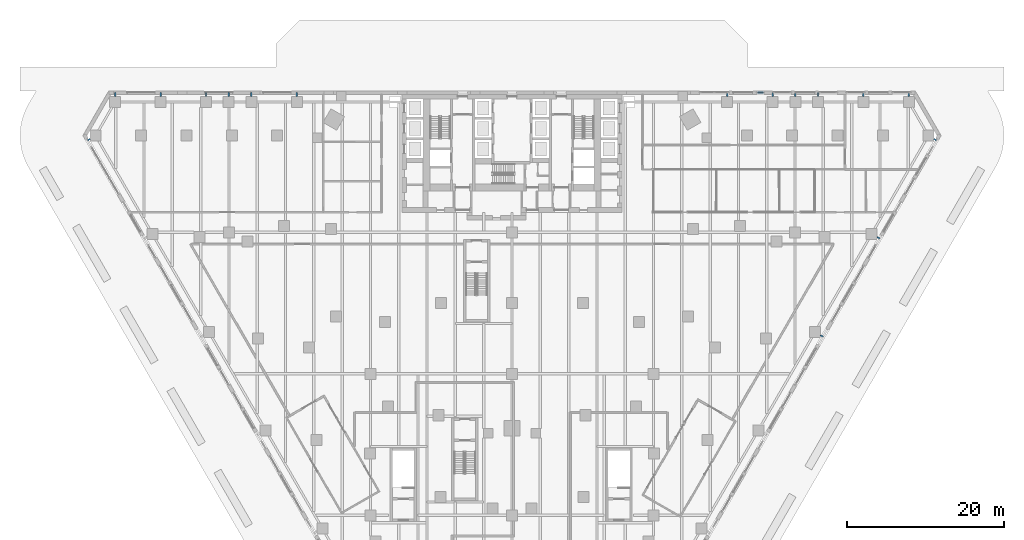
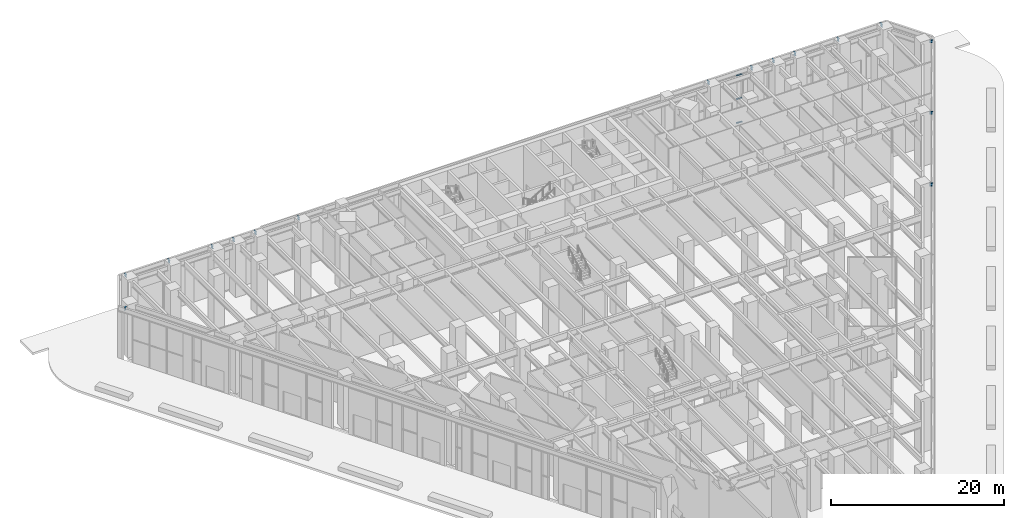
# One storey, part 18 of 37: 16 beams, 3 members, 1 element without a shape of its own.
"""IFC4 building model written with IfcOpenShell, lengths in metres."""

from ifc_helpers import new_model, si_unit, direction, frame, origin, origin_2d, place, context, subcontext, project, spatial, rectangle, i_section, extrude, material, material_profile, profile_set, type_object, element, aggregate, save


model = new_model("IFC4")

# Units and contexts
model_context = context("Model", 3, precision=1e-05, world=origin(), true_north=direction((0.0, 1.0)))
body_context = subcontext(model_context, "Body", "Model", "MODEL_VIEW")
ifc_project = project(units=[si_unit("LENGTHUNIT", "METRE"), si_unit("AREAUNIT", "SQUARE_METRE"), si_unit("VOLUMEUNIT", "CUBIC_METRE"), si_unit("PLANEANGLEUNIT", "RADIAN"), si_unit("MASSUNIT", "GRAM", prefix="KILO")], contexts=[model_context])

# Site, building, storey
site_placement = place(None, origin())
site = spatial("IfcSite", under=ifc_project, at=site_placement, CompositionType="ELEMENT")
building_placement = place(site_placement, origin())
building = spatial("IfcBuilding", under=site, at=building_placement, Name="Aloe Facet Convention Tower", CompositionType="ELEMENT")
storey_placement = place(building_placement, origin())
storey = spatial("IfcBuildingStorey", under=building, at=storey_placement, Name="L00", CompositionType="ELEMENT", Elevation=0.0)

# Beams
ifc_material_1 = material(Name="Steel S355", Category="steel")
ifc_material_profile_1 = material_profile(ifc_material_1, i_section(OverallWidth=0.177734375, OverallDepth=0.402587890625, WebThickness=0.0078125, FlangeThickness=0.010986328125, FilletRadius=0.01025390625, at=origin_2d()), Name="UB 406x178x54")
ifc_profile_set_1 = profile_set([ifc_material_profile_1], Name="Steel S355")
beam_type = type_object("IfcBeamType", Name="EV-BR-UB406x178x54", PredefinedType="BEAM", material=ifc_profile_set_1)
for number, where, z_axis, x_axis, name in (
    (1, (107.364990234375, 134.300048828125, 6.998779296875), (0.0, 1.0, 0.0), (-1.0, 0.0, 0.0), "EB-L01-N-BR01"),
    (2, (113.138916015625, 134.300048828125, 6.998779296875), (0.0, 1.0, 0.0), (-1.0, 0.0, 0.0), "EB-L01-N-BR02"),
    (3, (116.0419921875, 134.300048828125, 6.998779296875), (0.0, 1.0, 0.0), (-1.0, 0.0, 0.0), "EB-L01-N-BR03"),
    (4, (118.912109375, 134.300048828125, 6.998779296875), (0.0, 1.0, 0.0), (-1.0, 0.0, 0.0), "EB-L01-N-BR04"),
    (5, (124.68603515625, 134.300048828125, 6.998779296875), (0.0, 1.0, 0.0), (-1.0, 0.0, 0.0), "EB-L01-N-BR05"),
    (6, (130.458984375, 134.300048828125, 6.998779296875), (0.0, 1.0, 0.0), (-1.0, 0.0, 0.0), "EB-L01-N-BR06"),
    (7, (29.541015625, 134.300048828125, 6.998779296875), (0.0, 1.0, 0.0), (-1.0, 0.0, 0.0), "EB-L01-N-BR07"),
    (8, (35.31396484375, 134.300048828125, 6.998779296875), (0.0, 1.0, 0.0), (-1.0, 0.0, 0.0), "EB-L01-N-BR08"),
    (9, (41.087890625, 134.300048828125, 6.998779296875), (0.0, 1.0, 0.0), (-1.0, 0.0, 0.0), "EB-L01-N-BR09"),
    (10, (43.9580078125, 134.300048828125, 6.998779296875), (0.0, 1.0, 0.0), (-1.0, 0.0, 0.0), "EB-L01-N-BR10"),
    (11, (46.861083984375, 134.300048828125, 6.998779296875), (0.0, 1.0, 0.0), (-1.0, 0.0, 0.0), "EB-L01-N-BR11"),
    (12, (52.635009765625, 134.300048828125, 6.998779296875), (0.0, 1.0, 0.0), (-1.0, 0.0, 0.0), "EB-L01-N-BR12"),
):
    element("IfcBeam", number, at=place(storey_placement, frame(where, z_axis=z_axis, x_axis=x_axis)), inside=storey, type_object=beam_type, Name=name, PredefinedType="BEAM", context=body_context, shape_type="SweptSolid", body=[
        extrude(i_section(OverallWidth=0.177734375, OverallDepth=0.402587890625, WebThickness=0.0078125, FlangeThickness=0.010986328125, FilletRadius=0.01025390625, at=origin_2d()), origin(), (0.0, 0.0, 1.0), 0.474853515625),
    ])
for number, where, z_axis, x_axis, name in (
    (13, (26.34912109375, 128.8798828125, 6.998779296875), (-0.866063652425, -0.499933745558, 0.0), (0.499933745558, -0.866063652425, 0.0), "EB-L01-W-BR01"),
    (14, (119.23388671875, 103.908935546875, 6.998779296875), (0.866063652425, -0.499933745558, 0.0), (0.499933745558, 0.866063652425, 0.0), "EB-L01-E-BR03"),
):
    element("IfcBeam", number, at=place(storey_placement, frame(where, z_axis=z_axis, x_axis=x_axis)), inside=storey, type_object=beam_type, Name=name, PredefinedType="BEAM", context=body_context, shape_type="SweptSolid", body=[
        extrude(i_section(OverallWidth=0.177734375, OverallDepth=0.402587890625, WebThickness=0.0078125, FlangeThickness=0.010986328125, FilletRadius=0.01025390625, at=origin_2d()), origin(), (0.0, 0.0, 1.0), 0.36669921875),
    ])
beam_1_placement = place(storey_placement, frame((126.44189453125, 116.39501953125, 6.998779296875), z_axis=(0.865820295338, -0.500355090092, 0.0), x_axis=(0.500355090092, 0.865820295338, 0.0)))
element("IfcBeam", 15, at=beam_1_placement, inside=storey, type_object=beam_type, Name="EB-L01-E-BR04", PredefinedType="BEAM", context=body_context, shape_type="SweptSolid", body=[
    extrude(i_section(OverallWidth=0.177734375, OverallDepth=0.402587890625, WebThickness=0.0078125, FlangeThickness=0.010986328125, FilletRadius=0.01025390625, at=origin_2d()), origin(), (0.0, 0.0, 1.0), 0.367431640625),
])
beam_2_placement = place(storey_placement, frame((133.65087890625, 128.8798828125, 6.998779296875), z_axis=(0.866063652425, -0.499933745558, 0.0), x_axis=(0.499933745558, 0.866063652425, 0.0)))
element("IfcBeam", 16, at=beam_2_placement, inside=storey, type_object=beam_type, Name="EB-L01-E-BR05", PredefinedType="BEAM", context=body_context, shape_type="SweptSolid", body=[
    extrude(i_section(OverallWidth=0.177734375, OverallDepth=0.402587890625, WebThickness=0.0078125, FlangeThickness=0.010986328125, FilletRadius=0.01025390625, at=origin_2d()), origin(), (0.0, 0.0, 1.0), 0.36669921875),
])

# Curtain wall, members
ifc_material_2 = material(Name="Aluminium, anodised", Category="aluminium")
curtain_wall_type = type_object("IfcCurtainWallType", Name="EV-CW-PORTAL", PredefinedType="USERDEFINED", material=ifc_material_2)
curtain_wall_placement = place(storey_placement, origin())
curtain_wall = element("IfcCurtainWall", 17, at=curtain_wall_placement, inside=storey, type_object=curtain_wall_type, Name="CW-L00-N06A", ObjectType="ENTRANCE PORTAL GLAZING", PredefinedType="USERDEFINED")
ifc_material_3 = material(Name="Aluminium, anodised", Category="aluminium")
ifc_material_profile_2 = material_profile(ifc_material_3, rectangle(XDim=0.199951171875, YDim=0.080078125, at=origin_2d()), Name="AL 200x80")
ifc_profile_set_2 = profile_set([ifc_material_profile_2], Name="Aluminium, anodised")
member_type = type_object("IfcMemberType", Name="EV-TRAN-PORTAL", PredefinedType="USERDEFINED", material=ifc_profile_set_2)
member_1_placement = place(storey_placement, frame((111.94482421875, 134.77490234375, -0.260009765625), z_axis=(-1.0, 0.0, 0.0), x_axis=(0.0, -1.0, 0.0)))
member_1 = element("IfcMember", 18, at=member_1_placement, type_object=member_type, Name="CW-L00-N06A transom 1.1", ObjectType="TRANSOM", PredefinedType="USERDEFINED", context=body_context, shape_type="SweptSolid", body=[
    extrude(rectangle(XDim=0.199951171875, YDim=0.080078125, at=origin_2d()), origin(), (0.0, 0.0, 1.0), 0.70068359375),
])
member_2_placement = place(storey_placement, frame((111.94482421875, 134.77490234375, 3.106201171875), z_axis=(-1.0, 0.0, 0.0), x_axis=(0.0, -1.0, 0.0)))
member_2 = element("IfcMember", 19, at=member_2_placement, type_object=member_type, Name="CW-L00-N06A transom 1.2", ObjectType="TRANSOM", PredefinedType="USERDEFINED", context=body_context, shape_type="SweptSolid", body=[
    extrude(rectangle(XDim=0.199951171875, YDim=0.080078125, at=origin_2d()), origin(), (0.0, 0.0, 1.0), 0.70068359375),
])
member_3_placement = place(storey_placement, frame((111.94482421875, 134.77490234375, 6.472412109375), z_axis=(-1.0, 0.0, 0.0), x_axis=(0.0, -1.0, 0.0)))
member_3 = element("IfcMember", 20, at=member_3_placement, type_object=member_type, Name="CW-L00-N06A transom 1.3", ObjectType="TRANSOM", PredefinedType="USERDEFINED", context=body_context, shape_type="SweptSolid", body=[
    extrude(rectangle(XDim=0.199951171875, YDim=0.080078125, at=origin_2d()), origin(), (0.0, 0.0, 1.0), 0.70068359375),
])
aggregate(curtain_wall, [member_1, member_2, member_3])

save(model, "model.ifc")
